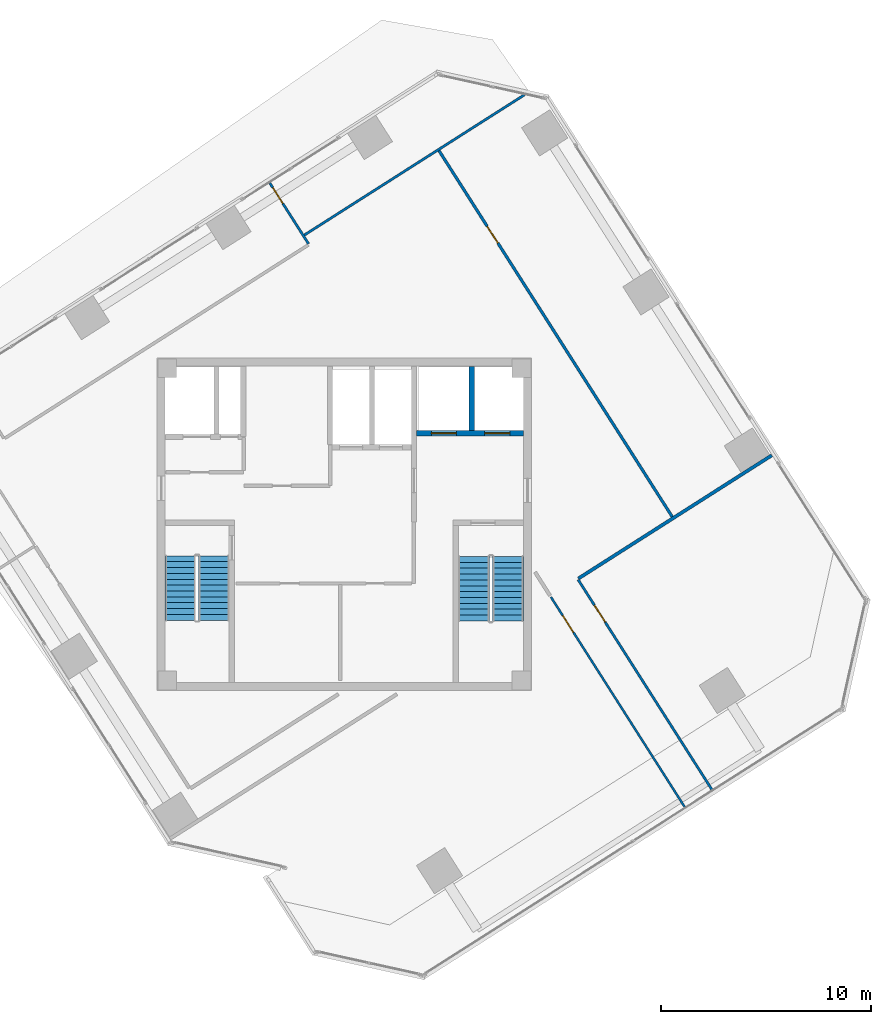
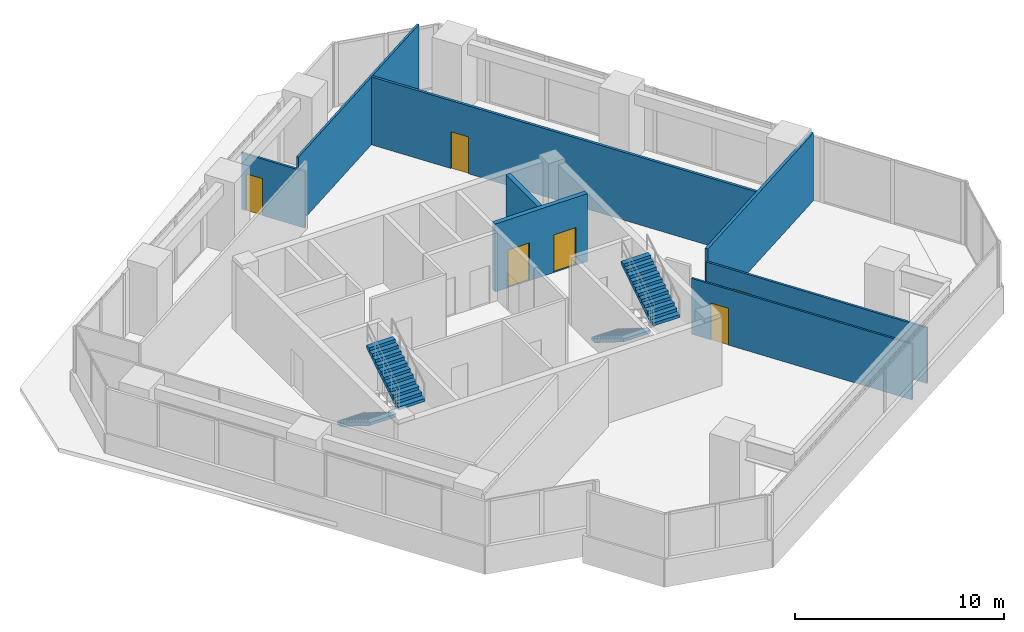
# One storey, part 12 of 15: 8 walls, 6 doors, 4 stair flights, 6 openings, 2 elements without a shape of their own.
"""IFC4 building model written with IfcOpenShell, lengths in metres."""

from ifc_helpers import new_model, si_unit, direction, frame, frame_2d, origin, place, context, subcontext, project, spatial, polyline, rectangle, outline, extrude, source, transform, mapped, material, layer, layer_set, type_object, element, fill, aggregate, save


model = new_model("IFC4")

# Units and contexts
model_context = context("Model", 3, precision=1e-05, world=origin(), true_north=direction((0.0, 1.0)))
body_context = subcontext(model_context, "Body", "Model", "MODEL_VIEW")
ifc_project = project(units=[si_unit("LENGTHUNIT", "METRE"), si_unit("AREAUNIT", "SQUARE_METRE"), si_unit("VOLUMEUNIT", "CUBIC_METRE"), si_unit("PLANEANGLEUNIT", "RADIAN"), si_unit("MASSUNIT", "GRAM", prefix="KILO")], contexts=[model_context])

# Site, building, storey
site_placement = place(None, origin())
site = spatial("IfcSite", under=ifc_project, at=site_placement, CompositionType="ELEMENT")
building_placement = place(site_placement, origin())
building = spatial("IfcBuilding", under=site, at=building_placement, Name="Torre Montelarca", CompositionType="ELEMENT")
storey_placement = place(building_placement, frame((0.0, 0.0, 307.199951171875)))
storey = spatial("IfcBuildingStorey", under=building, at=storey_placement, Name="L69", CompositionType="ELEMENT", Elevation=307.199951171875)

# Wall, openings, doors
ifc_material_1 = material(Name="Concrete C40/50", Category="concrete")
ifc_layer_1 = layer(ifc_material_1, 0.25, Name="Concrete C40/50", Category="concrete")
ifc_layer_set_1 = layer_set([ifc_layer_1], Name="Concrete C40/50")
wall_type_1 = type_object("IfcWallType", Name="CW-SHAFT-250", PredefinedType="SHEAR", material=ifc_layer_set_1)
wall_1_placement = place(storey_placement, frame((21.449951171875, 36.35009765625, 0.0), z_axis=(0.0, 0.0, 1.0), x_axis=(1.0, 0.0, 0.0)))
wall_1 = element("IfcWall", 1, at=wall_1_placement, inside=storey, type_object=wall_type_1, Name="L69 Core Shear Wall SH-FF-S", PredefinedType="SHEAR", context=body_context, shape_type="SweptSolid", body=[
    extrude(rectangle(XDim=5.090087890625, YDim=0.25, at=frame_2d((2.544921875, 0.0))), origin(), (0.0, 0.0, 1.0), 3.9599609375),
])
opening_1_placement = place(wall_1_placement, frame((0.699951171875, 0.0, 0.0)))
opening_1 = element("IfcOpeningElement", 2, at=opening_1_placement, cuts=wall_1, Name="Opening LD-120", PredefinedType="OPENING", context=body_context, shape_type="SweptSolid", body=[
    extrude(rectangle(XDim=1.199951171875, YDim=2.199951171875, at=frame_2d((0.60009765625, 1.10009765625))), frame((0.0, 0.135009765625, 0.0), z_axis=(0.0, -1.0, 0.0), x_axis=(1.0, 0.0, 0.0)), (0.0, 0.0, 1.0), 0.27001953125),
])
opening_2_placement = place(wall_1_placement, frame((3.25, 0.0, 0.0)))
opening_2 = element("IfcOpeningElement", 3, at=opening_2_placement, cuts=wall_1, Name="Opening LD-120", PredefinedType="OPENING", context=body_context, shape_type="SweptSolid", body=[
    extrude(rectangle(XDim=1.199951171875, YDim=2.199951171875, at=frame_2d((0.60009765625, 1.10009765625))), frame((0.0, 0.135009765625, 0.0), z_axis=(0.0, -1.0, 0.0), x_axis=(1.0, 0.0, 0.0)), (0.0, 0.0, 1.0), 0.27001953125),
])
ifc_material_2 = material(Name="Brushed stainless steel AISI 316", Category="steel")
door_type_1 = type_object("IfcDoorType", Name="DR-LIFT-120", OperationType="SLIDING_TO_RIGHT", PredefinedType="DOOR", material=ifc_material_2)
shared_shape_1 = source(origin(), body_context, "Body", "SweptSolid", [
    extrude(rectangle(XDim=1.199951171875, YDim=2.199951171875, at=frame_2d((0.60009765625, 1.10009765625))), frame((0.0, 0.02490234375, 0.0), z_axis=(0.0, -1.0, 0.0), x_axis=(1.0, 0.0, 0.0)), (0.0, 0.0, 1.0), 0.050048828125),
])
door_1_placement = place(opening_1_placement, origin())
door_1 = element("IfcDoor", 4, at=door_1_placement, inside=storey, type_object=door_type_1, Name="L69 Lift Landing Sliding Door FF-1", OperationType="SLIDING_TO_LEFT", OverallHeight=2.199951171875, OverallWidth=1.199951171875, PredefinedType="DOOR", context=body_context, shape_type="MappedRepresentation", body=[
    mapped(shared_shape_1, transform((0.0, 0.0, 0.0), scale=1.0)),
])
fill(opening_1, door_1)
door_2_placement = place(opening_2_placement, origin())
door_2 = element("IfcDoor", 5, at=door_2_placement, inside=storey, type_object=door_type_1, Name="L69 Lift Landing Sliding Door FF-2", OperationType="SLIDING_TO_RIGHT", OverallHeight=2.199951171875, OverallWidth=1.199951171875, PredefinedType="DOOR", context=body_context, shape_type="MappedRepresentation", body=[
    mapped(shared_shape_1, transform((0.0, 0.0, 0.0), scale=1.0)),
])
fill(opening_2, door_2)

# Walls
wall_2_placement = place(storey_placement, frame((24.080078125, 36.47998046875, 0.0), z_axis=(0.0, 0.0, 1.0), x_axis=(0.0, 1.0, 0.0)))
element("IfcWall", 6, at=wall_2_placement, inside=storey, type_object=wall_type_1, Name="L69 Core Shear Wall SH-FF-M", PredefinedType="SHEAR", context=body_context, shape_type="SweptSolid", body=[
    extrude(rectangle(XDim=3.06005859375, YDim=0.25, at=frame_2d((1.530029296875, 0.0))), origin(), (0.0, 0.0, 1.0), 3.9599609375),
])
ifc_material_3 = material(Name="Gypsum plasterboard on steel stud", Category="steel")
ifc_layer_2 = layer(ifc_material_3, 0.159912109375, Name="Gypsum plasterboard on steel stud", Category="steel")
ifc_layer_set_2 = layer_set([ifc_layer_2], Name="Gypsum plasterboard on steel stud")
wall_type_2 = type_object("IfcWallType", Name="PW-FIRE-160", PredefinedType="PARTITIONING", material=ifc_layer_set_2)
wall_3_placement = place(storey_placement, frame((29.16943359375, 29.416015625, 0.0), z_axis=(0.0, 0.0, 1.0), x_axis=(0.843389386546, 0.537302840734, 0.0)))
element("IfcWall", 7, at=wall_3_placement, inside=storey, type_object=wall_type_2, Name="L69 Interior Partition W-L69-ECN", PredefinedType="PARTITIONING", context=body_context, shape_type="SweptSolid", body=[
    extrude(rectangle(XDim=10.940185546875, YDim=0.159912109375, at=frame_2d((5.47021484375, 0.0))), origin(), (0.0, 0.0, 1.0), 3.9599609375),
])

# Wall, opening, door
ifc_material_4 = material(Name="Acoustic laminated glass partition", Category="glass")
ifc_layer_3 = layer(ifc_material_4, 0.10009765625, Name="Acoustic laminated glass partition", Category="glass")
ifc_layer_set_3 = layer_set([ifc_layer_3], Name="Acoustic laminated glass partition")
wall_type_3 = type_object("IfcWallType", Name="PW-GLAZ-100", PredefinedType="PARTITIONING", material=ifc_layer_set_3)
wall_4_placement = place(storey_placement, frame((27.8583984375, 28.533447265625, 0.0), z_axis=(0.0, 0.0, 1.0), x_axis=(0.537294294715, -0.843394830946, 0.0)))
wall_4 = element("IfcWall", 8, at=wall_4_placement, inside=storey, type_object=wall_type_3, Name="L69 Interior Partition W-L69-SE-N", PredefinedType="PARTITIONING", context=body_context, shape_type="SweptSolid", body=[
    extrude(rectangle(XDim=11.8798828125, YDim=0.10009765625, at=frame_2d((5.93994140625, 0.0))), origin(), (0.0, 0.0, 1.0), 3.25244140625),
])
opening_3_placement = place(wall_4_placement, frame((1.050048828125, 0.0, 0.0)))
opening_3 = element("IfcOpeningElement", 9, at=opening_3_placement, cuts=wall_4, Name="Opening ID-095", PredefinedType="OPENING", context=body_context, shape_type="SweptSolid", body=[
    extrude(rectangle(XDim=0.949951171875, YDim=2.14990234375, at=frame_2d((0.47509765625, 1.074951171875))), frame((0.0, 0.06005859375, 0.0), z_axis=(0.0, -1.0, 0.0), x_axis=(1.0, 0.0, 0.0)), (0.0, 0.0, 1.0), 0.1201171875),
])
ifc_material_5 = material(Name="Hardwood acoustic timber veneer", Category="wood")
door_type_2 = type_object("IfcDoorType", Name="DR-INT-095", OperationType="NOTDEFINED", PredefinedType="DOOR", material=ifc_material_5)
shared_shape_2 = source(origin(), body_context, "Body", "SweptSolid", [
    extrude(rectangle(XDim=0.949951171875, YDim=2.14990234375, at=frame_2d((0.47509765625, 1.074951171875))), frame((0.0, 0.02490234375, 0.0), z_axis=(0.0, -1.0, 0.0), x_axis=(1.0, 0.0, 0.0)), (0.0, 0.0, 1.0), 0.050048828125),
])
door_3_placement = place(opening_3_placement, origin())
door_3 = element("IfcDoor", 10, at=door_3_placement, inside=storey, type_object=door_type_2, Name="L69 Interior Door 12", OperationType="SINGLE_SWING_LEFT", OverallHeight=2.14990234375, OverallWidth=0.949951171875, PredefinedType="DOOR", context=body_context, shape_type="MappedRepresentation", body=[
    mapped(shared_shape_2, transform((0.0, 0.0, 0.0), scale=1.0)),
])
fill(opening_3, door_3)

ifc_layer_4 = layer(ifc_material_3, 0.114990234375, Name="Gypsum plasterboard on steel stud", Category="steel")
ifc_layer_set_4 = layer_set([ifc_layer_4], Name="Gypsum plasterboard on steel stud")
wall_type_4 = type_object("IfcWallType", Name="PW-PART-115", PredefinedType="PARTITIONING", material=ifc_layer_set_4)
wall_5_placement = place(storey_placement, frame((14.447998046875, 48.28076171875, 0.0), z_axis=(0.0, 0.0, 1.0), x_axis=(0.537285301829, -0.843400559899, 0.0)))
wall_5 = element("IfcWall", 11, at=wall_5_placement, inside=storey, type_object=wall_type_4, Name="L69 Interior Partition W-L69-WPKN", PredefinedType="PARTITIONING", context=body_context, shape_type="SweptSolid", body=[
    extrude(rectangle(XDim=3.43017578125, YDim=0.114990234375, at=frame_2d((1.715087890625, 0.0))), origin(), (0.0, 0.0, 1.0), 3.295166015625),
])
opening_4_placement = place(wall_5_placement, frame((0.25, 0.0, 0.0)))
opening_4 = element("IfcOpeningElement", 12, at=opening_4_placement, cuts=wall_5, Name="Opening ID-090", PredefinedType="OPENING", context=body_context, shape_type="SweptSolid", body=[
    extrude(rectangle(XDim=0.89990234375, YDim=2.14990234375, at=frame_2d((0.449951171875, 1.074951171875))), frame((0.0, 0.0673828125, 0.0), z_axis=(0.0, -1.0, 0.0), x_axis=(1.0, 0.0, 0.0)), (0.0, 0.0, 1.0), 0.135009765625),
])
door_type_3 = type_object("IfcDoorType", Name="DR-INT-090", OperationType="NOTDEFINED", PredefinedType="DOOR", material=ifc_material_5)
shared_shape_3 = source(origin(), body_context, "Body", "SweptSolid", [
    extrude(rectangle(XDim=0.89990234375, YDim=2.14990234375, at=frame_2d((0.449951171875, 1.074951171875))), frame((0.0, 0.02490234375, 0.0), z_axis=(0.0, -1.0, 0.0), x_axis=(1.0, 0.0, 0.0)), (0.0, 0.0, 1.0), 0.050048828125),
])
door_4_placement = place(opening_4_placement, origin())
door_4 = element("IfcDoor", 13, at=door_4_placement, inside=storey, type_object=door_type_3, Name="L69 Interior Door 10", OperationType="SINGLE_SWING_RIGHT", OverallHeight=2.14990234375, OverallWidth=0.89990234375, PredefinedType="DOOR", context=body_context, shape_type="MappedRepresentation", body=[
    mapped(shared_shape_3, transform((0.0, 0.0, 0.0), scale=1.0)),
])
fill(opening_4, door_4)

# Wall
wall_6_placement = place(storey_placement, frame((16.077392578125, 45.79736328125, 0.0), z_axis=(0.0, 0.0, 1.0), x_axis=(0.843392973199, 0.537297210824, 0.0)))
element("IfcWall", 14, at=wall_6_placement, inside=storey, type_object=wall_type_4, Name="L69 Interior Partition W-L69-WPKE2", PredefinedType="PARTITIONING", context=body_context, shape_type="SweptSolid", body=[
    extrude(rectangle(XDim=12.471923828125, YDim=0.114990234375, at=frame_2d((6.23583984375, 0.0))), origin(), (0.0, 0.0, 1.0), 3.9599609375),
])

# Wall, opening, door
wall_7_placement = place(storey_placement, frame((29.1572265625, 29.36083984375, 0.0), z_axis=(0.0, 0.0, 1.0), x_axis=(0.537294294715, -0.843394830946, 0.0)))
wall_7 = element("IfcWall", 15, at=wall_7_placement, inside=storey, type_object=wall_type_4, Name="L69 Interior Partition W-L69-NE-S", PredefinedType="PARTITIONING", context=body_context, shape_type="SweptSolid", body=[
    extrude(rectangle(XDim=11.8798828125, YDim=0.114990234375, at=frame_2d((5.93994140625, 0.0))), origin(), (0.0, 0.0, 1.0), 3.25244140625),
])
opening_5_placement = place(wall_7_placement, frame((1.449951171875, 0.0, 0.0)))
opening_5 = element("IfcOpeningElement", 16, at=opening_5_placement, cuts=wall_7, Name="Opening ID-095", PredefinedType="OPENING", context=body_context, shape_type="SweptSolid", body=[
    extrude(rectangle(XDim=0.949951171875, YDim=2.14990234375, at=frame_2d((0.47509765625, 1.074951171875))), frame((0.0, 0.0673828125, 0.0), z_axis=(0.0, -1.0, 0.0), x_axis=(1.0, 0.0, 0.0)), (0.0, 0.0, 1.0), 0.135009765625),
])
door_5_placement = place(opening_5_placement, origin())
door_5 = element("IfcDoor", 17, at=door_5_placement, inside=storey, type_object=door_type_2, Name="L69 Interior Door 11", OperationType="SINGLE_SWING_LEFT", OverallHeight=2.14990234375, OverallWidth=0.949951171875, PredefinedType="DOOR", context=body_context, shape_type="MappedRepresentation", body=[
    mapped(shared_shape_2, transform((0.0, 0.0, 0.0), scale=1.0)),
])
fill(opening_5, door_5)

ifc_layer_5 = layer(ifc_material_3, 0.135009765625, Name="Gypsum plasterboard on steel stud", Category="steel")
ifc_layer_set_5 = layer_set([ifc_layer_5], Name="Gypsum plasterboard on steel stud")
wall_type_5 = type_object("IfcWallType", Name="PW-PART-135", PredefinedType="PARTITIONING", material=ifc_layer_set_5)
wall_8_placement = place(storey_placement, frame((22.5087890625, 49.84716796875, 0.0), z_axis=(0.0, 0.0, 1.0), x_axis=(0.537290700932, -0.843397120396, 0.0)))
wall_8 = element("IfcWall", 18, at=wall_8_placement, inside=storey, type_object=wall_type_5, Name="L69 Interior Partition W-L69-NBOT", PredefinedType="PARTITIONING", context=body_context, shape_type="SweptSolid", body=[
    extrude(rectangle(XDim=20.770263671875, YDim=0.135009765625, at=frame_2d((10.38525390625, 0.0))), origin(), (0.0, 0.0, 1.0), 3.9599609375),
])
opening_6_placement = place(wall_8_placement, frame((4.300048828125, 0.0, 0.0)))
opening_6 = element("IfcOpeningElement", 19, at=opening_6_placement, cuts=wall_8, Name="Opening ID-095", PredefinedType="OPENING", context=body_context, shape_type="SweptSolid", body=[
    extrude(rectangle(XDim=0.949951171875, YDim=2.14990234375, at=frame_2d((0.47509765625, 1.074951171875))), frame((0.0, 0.07763671875, 0.0), z_axis=(0.0, -1.0, 0.0), x_axis=(1.0, 0.0, 0.0)), (0.0, 0.0, 1.0), 0.155029296875),
])
door_6_placement = place(opening_6_placement, origin())
door_6 = element("IfcDoor", 20, at=door_6_placement, inside=storey, type_object=door_type_2, Name="L69 Interior Door 08", OperationType="SINGLE_SWING_LEFT", OverallHeight=2.14990234375, OverallWidth=0.949951171875, PredefinedType="DOOR", context=body_context, shape_type="MappedRepresentation", body=[
    mapped(shared_shape_2, transform((0.0, 0.0, 0.0), scale=1.0)),
])
fill(opening_6, door_6)

# Stair, stair flights
stair_type_1 = type_object("IfcStairType", Name="ST-CORE-ST1", PredefinedType="HALF_TURN_STAIR", material=ifc_material_1)
stair_1_placement = place(storey_placement, origin())
stair_1 = element("IfcStair", 21, at=stair_1_placement, inside=storey, type_object=stair_type_1, Name="L69 Protected Exit Stair ST1", PredefinedType="HALF_TURN_STAIR")
stair_flight_type_1 = type_object("IfcStairFlightType", Name="SFL-CORE-ST1", PredefinedType="STRAIGHT", material=ifc_material_1)
stair_flight_1_placement = place(storey_placement, frame((10.175048828125, 30.5, 0.0), z_axis=(0.0, 0.0, 1.0), x_axis=(0.0, -1.0, 0.0)))
stair_flight_1 = element("IfcStairFlight", 22, at=stair_flight_1_placement, type_object=stair_flight_type_1, Name="ST1 flight 1", NumberOfRisers=12, NumberOfTreads=11, PredefinedType="STRAIGHT", RiserHeight=0.175, TreadLength=0.28, context=body_context, shape_type="SweptSolid", body=[
    extrude(outline(polyline([(0.0, 0.0), (0.0, 0.175048828125), (0.280029296875, 0.175048828125), (0.280029296875, 0.35009765625), (0.56005859375, 0.35009765625), (0.56005859375, 0.52490234375), (0.840087890625, 0.52490234375), (0.840087890625, 0.699951171875), (1.1201171875, 0.699951171875), (1.1201171875, 0.875), (1.39990234375, 0.875), (1.39990234375, 1.050048828125), (1.679931640625, 1.050048828125), (1.679931640625, 1.22509765625), (1.9599609375, 1.22509765625), (1.9599609375, 1.39990234375), (2.239990234375, 1.39990234375), (2.239990234375, 1.574951171875), (2.52001953125, 1.574951171875), (2.52001953125, 1.75), (2.800048828125, 1.75), (2.800048828125, 1.925048828125), (3.080078125, 1.925048828125), (3.080078125, 2.10009765625), (3.080078125, 1.748291015625), (0.28271484375, 0.0), (0.0, 0.0)])), frame((0.0, 0.72509765625, 0.0), z_axis=(0.0, -1.0, 0.0), x_axis=(1.0, 0.0, 0.0)), (0.0, 0.0, 1.0), 1.449951171875),
])
stair_flight_2_placement = place(storey_placement, frame((11.77490234375, 27.419921875, 2.10009765625), z_axis=(0.0, 0.0, 1.0), x_axis=(0.0, 1.0, 0.0)))
stair_flight_2 = element("IfcStairFlight", 23, at=stair_flight_2_placement, type_object=stair_flight_type_1, Name="ST1 flight 2", NumberOfRisers=12, NumberOfTreads=11, PredefinedType="STRAIGHT", RiserHeight=0.175, TreadLength=0.28, context=body_context, shape_type="SweptSolid", body=[
    extrude(outline(polyline([(0.0, 0.0), (0.0, 0.175048828125), (0.280029296875, 0.175048828125), (0.280029296875, 0.35009765625), (0.56005859375, 0.35009765625), (0.56005859375, 0.52490234375), (0.840087890625, 0.52490234375), (0.840087890625, 0.699951171875), (1.1201171875, 0.699951171875), (1.1201171875, 0.875), (1.39990234375, 0.875), (1.39990234375, 1.050048828125), (1.679931640625, 1.050048828125), (1.679931640625, 1.22509765625), (1.9599609375, 1.22509765625), (1.9599609375, 1.39990234375), (2.239990234375, 1.39990234375), (2.239990234375, 1.574951171875), (2.52001953125, 1.574951171875), (2.52001953125, 1.75), (2.800048828125, 1.75), (2.800048828125, 1.925048828125), (3.080078125, 1.925048828125), (3.080078125, 2.10009765625), (3.080078125, 1.748291015625), (0.28271484375, 0.0), (0.0, 0.0)])), frame((0.0, 0.72509765625, 0.0), z_axis=(0.0, -1.0, 0.0), x_axis=(1.0, 0.0, 0.0)), (0.0, 0.0, 1.0), 1.449951171875),
])
aggregate(stair_1, [stair_flight_1, stair_flight_2])

stair_type_2 = type_object("IfcStairType", Name="ST-CORE-ST2", PredefinedType="HALF_TURN_STAIR", material=ifc_material_1)
stair_2_placement = place(storey_placement, origin())
stair_2 = element("IfcStair", 24, at=stair_2_placement, inside=storey, type_object=stair_type_2, Name="L69 Protected Exit Stair ST2", PredefinedType="HALF_TURN_STAIR")
stair_flight_type_2 = type_object("IfcStairFlightType", Name="SFL-CORE-ST2", PredefinedType="STRAIGHT", material=ifc_material_1)
stair_flight_3_placement = place(storey_placement, frame((24.179931640625, 30.469970703125, 0.0), z_axis=(0.0, 0.0, 1.0), x_axis=(0.0, -1.0, 0.0)))
stair_flight_3 = element("IfcStairFlight", 25, at=stair_flight_3_placement, type_object=stair_flight_type_2, Name="ST2 flight 1", NumberOfRisers=12, NumberOfTreads=11, PredefinedType="STRAIGHT", RiserHeight=0.175, TreadLength=0.28, context=body_context, shape_type="SweptSolid", body=[
    extrude(outline(polyline([(0.0, 0.0), (0.0, 0.175048828125), (0.280029296875, 0.175048828125), (0.280029296875, 0.35009765625), (0.56005859375, 0.35009765625), (0.56005859375, 0.52490234375), (0.840087890625, 0.52490234375), (0.840087890625, 0.699951171875), (1.1201171875, 0.699951171875), (1.1201171875, 0.875), (1.39990234375, 0.875), (1.39990234375, 1.050048828125), (1.679931640625, 1.050048828125), (1.679931640625, 1.22509765625), (1.9599609375, 1.22509765625), (1.9599609375, 1.39990234375), (2.239990234375, 1.39990234375), (2.239990234375, 1.574951171875), (2.52001953125, 1.574951171875), (2.52001953125, 1.75), (2.800048828125, 1.75), (2.800048828125, 1.925048828125), (3.080078125, 1.925048828125), (3.080078125, 2.10009765625), (3.080078125, 1.748291015625), (0.28271484375, 0.0), (0.0, 0.0)])), frame((0.0, 0.739990234375, 0.0), z_axis=(0.0, -1.0, 0.0), x_axis=(1.0, 0.0, 0.0)), (0.0, 0.0, 1.0), 1.47998046875),
])
stair_flight_4_placement = place(storey_placement, frame((25.81005859375, 27.389892578125, 2.10009765625), z_axis=(0.0, 0.0, 1.0), x_axis=(0.0, 1.0, 0.0)))
stair_flight_4 = element("IfcStairFlight", 26, at=stair_flight_4_placement, type_object=stair_flight_type_2, Name="ST2 flight 2", NumberOfRisers=12, NumberOfTreads=11, PredefinedType="STRAIGHT", RiserHeight=0.175, TreadLength=0.28, context=body_context, shape_type="SweptSolid", body=[
    extrude(outline(polyline([(0.0, 0.0), (0.0, 0.175048828125), (0.280029296875, 0.175048828125), (0.280029296875, 0.35009765625), (0.56005859375, 0.35009765625), (0.56005859375, 0.52490234375), (0.840087890625, 0.52490234375), (0.840087890625, 0.699951171875), (1.1201171875, 0.699951171875), (1.1201171875, 0.875), (1.39990234375, 0.875), (1.39990234375, 1.050048828125), (1.679931640625, 1.050048828125), (1.679931640625, 1.22509765625), (1.9599609375, 1.22509765625), (1.9599609375, 1.39990234375), (2.239990234375, 1.39990234375), (2.239990234375, 1.574951171875), (2.52001953125, 1.574951171875), (2.52001953125, 1.75), (2.800048828125, 1.75), (2.800048828125, 1.925048828125), (3.080078125, 1.925048828125), (3.080078125, 2.10009765625), (3.080078125, 1.748291015625), (0.28271484375, 0.0), (0.0, 0.0)])), frame((0.0, 0.739990234375, 0.0), z_axis=(0.0, -1.0, 0.0), x_axis=(1.0, 0.0, 0.0)), (0.0, 0.0, 1.0), 1.47998046875),
])
aggregate(stair_2, [stair_flight_3, stair_flight_4])

save(model, "model.ifc")
